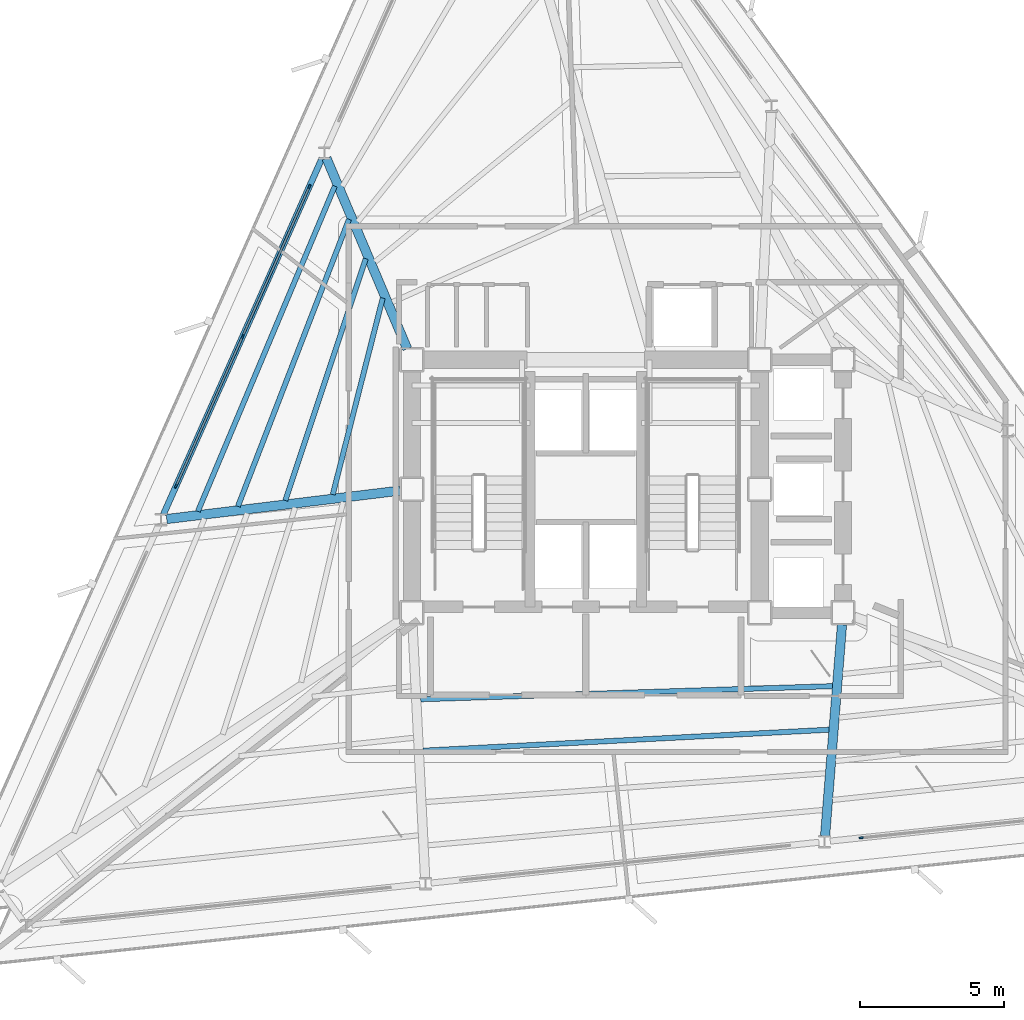
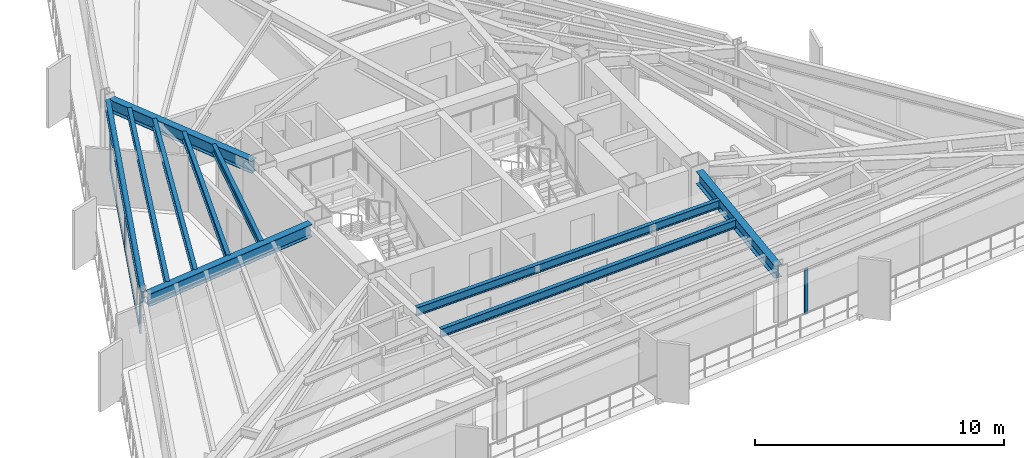
# One storey, part 3 of 12: 10 beams, 8 members, 2 elements without a shape of their own.
"""IFC4 building model written with IfcOpenShell, lengths in metres."""

import ifcopenshell
import ifcopenshell.guid

model = None  # the IFC model being written
_history = None  # IfcOwnerHistory: only IFC2X3 demands one
_inside = {}  # id of a spatial element -> (the spatial element, [elements in it])
_under = {}  # id of a project, library or spatial element -> (it, [spatial elements below it])
_declared = {}  # id of a project -> (the project, [libraries it declares])
_typed = {}  # id of a type object -> (the type object, [elements of that type])
_made_of = {}  # id of a material, layer set ... -> (it, [elements and type objects made of it])


def new_model(schema):
    """Start an empty IFC model of exactly this schema.

    Asked for "IFC4X3", IfcOpenShell would pick the latest addendum, in which some entities
    have other attributes; the version numbers below select the first issue.
    IFC2X3 requires an IfcOwnerHistory on every rooted entity: one is made here for all.
    """
    global model, _history
    if schema == "IFC4X3":
        model = ifcopenshell.file(schema_version=(4, 3, 0, 0))
    else:
        model = ifcopenshell.file(schema=schema)
    _inside.clear()
    _under.clear()
    _declared.clear()
    _typed.clear()
    _made_of.clear()
    _history = None
    if model.schema == "IFC2X3":
        org = make("IfcOrganization", Name="unknown")
        user = make(
            "IfcPersonAndOrganization",
            ThePerson=make("IfcPerson", FamilyName="unknown"),
            TheOrganization=org,
        )
        app = make(
            "IfcApplication",
            ApplicationDeveloper=org,
            Version="unknown",
            ApplicationFullName="unknown",
            ApplicationIdentifier="unknown",
        )
        _history = make(
            "IfcOwnerHistory",
            OwningUser=user,
            OwningApplication=app,
            ChangeAction="ADDED",
            CreationDate=0,
        )
    return model


def make(cls, **values):
    """One entity of the class cls with the attributes given. An attribute that is None is left unset."""
    return model.create_entity(
        cls, **{name: value for name, value in values.items() if value is not None}
    )


def rooted(cls, **values):
    """An entity with a GlobalId (a new one), such as an element, a storey or a relation."""
    return make(cls, GlobalId=ifcopenshell.guid.new(), OwnerHistory=_history, **values)


def si_unit(unit_type, name, prefix=None):
    """IfcSIUnit, for example si_unit("LENGTHUNIT", "METRE", prefix="MILLI")."""
    return make("IfcSIUnit", UnitType=unit_type, Prefix=prefix, Name=name)


def assignment(units):
    """IfcUnitAssignment: the units of a project."""
    return None if units is None else make("IfcUnitAssignment", Units=units)


def point(xyz):
    """IfcCartesianPoint."""
    return None if xyz is None else make("IfcCartesianPoint", Coordinates=xyz)


def direction(xyz):
    """IfcDirection."""
    return None if xyz is None else make("IfcDirection", DirectionRatios=xyz)


def frame(location, z_axis=None, x_axis=None):
    """IfcAxis2Placement3D, a coordinate frame: its origin and axes. An axis left out is left unset."""
    return make(
        "IfcAxis2Placement3D",
        Location=point(location),
        Axis=direction(z_axis),
        RefDirection=direction(x_axis),
    )


def frame_2d(location, x_axis=None):
    """IfcAxis2Placement2D, a coordinate frame in the plane: its origin and x axis."""
    return make(
        "IfcAxis2Placement2D", Location=point(location), RefDirection=direction(x_axis)
    )


def origin():
    """The frame at (0, 0, 0) with its axes left unset."""
    return frame((0.0, 0.0, 0.0))


def origin_2d():
    """The frame at (0, 0) in the plane with its x axis left unset."""
    return frame_2d((0.0, 0.0))


def place(relative_to, where):
    """IfcLocalPlacement: puts the frame where relative to a parent placement (None: the world)."""
    return make(
        "IfcLocalPlacement", PlacementRelTo=relative_to, RelativePlacement=where
    )


def context(
    kind, dimensions, precision=None, world=None, true_north=None, identifier=None
):
    """IfcGeometricRepresentationContext, for example the 3D "Model" context."""
    return make(
        "IfcGeometricRepresentationContext",
        ContextIdentifier=identifier,
        ContextType=kind,
        CoordinateSpaceDimension=dimensions,
        Precision=precision,
        WorldCoordinateSystem=world,
        TrueNorth=true_north,
    )


def subcontext(parent, identifier, kind, view, scale=None):
    """IfcGeometricRepresentationSubContext, for example "Body" below "Model"."""
    return make(
        "IfcGeometricRepresentationSubContext",
        ContextIdentifier=identifier,
        ContextType=kind,
        ParentContext=parent,
        TargetScale=scale,
        TargetView=view,
    )


def project(units=None, contexts=None):
    """IfcProject with its units and contexts."""
    return rooted(
        "IfcProject",
        Name="project",
        RepresentationContexts=contexts,
        UnitsInContext=assignment(units),
    )


def spatial(cls, under=None, at=None, **own):
    """A site, building, storey or space (cls), placed at a placement, below another one or the project."""
    s = rooted(cls, ObjectPlacement=at, **own)
    if under is not None:
        _under.setdefault(under.id(), (under, []))[1].append(s)
    return s


def profile(cls, at=None, kind="AREA", **sizes):
    """A parametric profile (cls). Its sizes go by their IFC names, for example OverallWidth=200.0."""
    return make(cls, ProfileType=kind, Position=at, **sizes)


def rectangle(**sizes):
    """IfcRectangleProfileDef."""
    return profile("IfcRectangleProfileDef", **sizes)


def i_section(**sizes):
    """IfcIShapeProfileDef."""
    return profile("IfcIShapeProfileDef", **sizes)


def extrude(swept, where, along, depth):
    """IfcExtrudedAreaSolid: the profile swept, set in the frame where, extruded along a direction by depth."""
    return make(
        "IfcExtrudedAreaSolid",
        SweptArea=swept,
        Position=where,
        ExtrudedDirection=direction(along),
        Depth=depth,
    )


def shape(context_of_items, identifier, shape_type, items):
    """IfcShapeRepresentation: the items that make up one representation, for example the "Body"."""
    return make(
        "IfcShapeRepresentation",
        ContextOfItems=context_of_items,
        RepresentationIdentifier=identifier,
        RepresentationType=shape_type,
        Items=items,
    )


def material(Name=None, Category=None):
    """IfcMaterial."""
    return make("IfcMaterial", Name=Name, Category=Category)


def layer(
    of_material, thickness, ventilated=None, Name=None, Category=None, Priority=None
):
    """IfcMaterialLayer: one layer of a wall or slab, of a material (None: an air gap)."""
    return make(
        "IfcMaterialLayer",
        Material=of_material,
        LayerThickness=thickness,
        IsVentilated=ventilated,
        Name=Name,
        Category=Category,
        Priority=Priority,
    )


def layer_set(layers, Name=None):
    """IfcMaterialLayerSet."""
    return make("IfcMaterialLayerSet", MaterialLayers=layers, LayerSetName=Name)


def material_profile(
    of_material, cross_section, Name=None, Category=None, Priority=None
):
    """IfcMaterialProfile: a cross section and its material."""
    return make(
        "IfcMaterialProfile",
        Name=Name,
        Material=of_material,
        Profile=cross_section,
        Priority=Priority,
        Category=Category,
    )


def profile_set(profiles, Name=None, composite=None):
    """IfcMaterialProfileSet."""
    return make(
        "IfcMaterialProfileSet",
        Name=Name,
        MaterialProfiles=profiles,
        CompositeProfile=composite,
    )


def made_of(thing, what):
    """Note that an element or type object is made of a material, layer set ...; save() writes the relation."""
    if what is not None:
        _made_of.setdefault(what.id(), (what, []))[1].append(thing)
    return thing


def type_object(cls, material=None, **own):
    """A type object (cls), such as IfcWallType, which elements share."""
    return made_of(rooted(cls, **own), material)


def element(
    cls,
    number,
    at=None,
    inside=None,
    cuts=None,
    type_object=None,
    material=None,
    context=None,
    identifier="Body",
    shape_type=None,
    held_by="IfcProductDefinitionShape",
    body=None,
    shapes=None,
    **own,
):
    """One element of the class cls, such as IfcWall. Its Tag is "e" and its number.

    at: its placement. inside: the storey or other place that contains it. cuts: it is an
    opening in that element (IfcRelVoidsElement). A single representation is given by context,
    identifier, shape_type and body (its items); several are given by shapes. held_by: the class
    of the entity that holds the representations. save() writes the other relations.
    """
    e = rooted(cls, Tag="e%d" % number, ObjectPlacement=at, **own)
    if body is not None:
        shapes = [shape(context, identifier, shape_type, body)]
    if shapes is not None:
        e.Representation = make(held_by, Representations=shapes)
    if inside is not None:
        _inside.setdefault(inside.id(), (inside, []))[1].append(e)
    if cuts is not None:
        rooted(
            "IfcRelVoidsElement", RelatingBuildingElement=cuts, RelatedOpeningElement=e
        )
    if type_object is not None:
        _typed.setdefault(type_object.id(), (type_object, []))[1].append(e)
    return made_of(e, material)


def aggregate(whole, parts):
    """IfcRelAggregates: a whole, such as a stair, and the parts it consists of."""
    return rooted("IfcRelAggregates", RelatingObject=whole, RelatedObjects=parts)


def save(model, path):
    """Write the relations noted so far, then the file.

    IfcRelAggregates (storeys below a building ...), IfcRelContainedInSpatialStructure (elements
    in a storey), IfcRelDefinesByType, IfcRelAssociatesMaterial and IfcRelDeclares: one each for
    every whole, place, type object, material and project.
    """
    for whole, parts in _under.values():
        aggregate(whole, parts)
    for where, things in _inside.values():
        rooted(
            "IfcRelContainedInSpatialStructure",
            RelatedElements=things,
            RelatingStructure=where,
        )
    for kind, things in _typed.values():
        rooted("IfcRelDefinesByType", RelatedObjects=things, RelatingType=kind)
    for what, things in _made_of.values():
        rooted("IfcRelAssociatesMaterial", RelatedObjects=things, RelatingMaterial=what)
    for by, libraries in _declared.values():
        rooted("IfcRelDeclares", RelatingContext=by, RelatedDefinitions=libraries)
    model.write(path)


model = new_model("IFC4")

# Units and contexts
model_context = context("Model", 3, precision=1e-05, world=origin(), true_north=direction((0.0, 1.0)))
body_context = subcontext(model_context, "Body", "Model", "MODEL_VIEW")
ifc_project = project(units=[si_unit("LENGTHUNIT", "METRE"), si_unit("AREAUNIT", "SQUARE_METRE"), si_unit("VOLUMEUNIT", "CUBIC_METRE"), si_unit("PLANEANGLEUNIT", "RADIAN"), si_unit("MASSUNIT", "GRAM", prefix="KILO")], contexts=[model_context])

# Site, building, storey
site_placement = place(None, origin())
site = spatial("IfcSite", under=ifc_project, at=site_placement, CompositionType="ELEMENT")
building_placement = place(site_placement, origin())
building = spatial("IfcBuilding", under=site, at=building_placement, Name="Rocaltana Carrier Exchange", CompositionType="ELEMENT")
storey_placement = place(building_placement, frame((0.0, 0.0, 110.719970703125)))
storey = spatial("IfcBuildingStorey", under=building, at=storey_placement, Name="L34", CompositionType="ELEMENT", Elevation=110.719970703125)

# Curtain wall, members
ifc_material_1 = material(Name="Aluminium 6063-T6", Category="aluminium")
ifc_layer = layer(ifc_material_1, 0.14990234375)
ifc_layer_set = layer_set([ifc_layer], Name="Aluminium 6063-T6")
curtain_wall_type = type_object("IfcCurtainWallType", Name="Mid-Tower Unitised Curtain Wall CW-03", PredefinedType="NOTDEFINED", material=ifc_layer_set)
curtain_wall_1_placement = place(storey_placement, origin())
curtain_wall_1 = element("IfcCurtainWall", 1, at=curtain_wall_1_placement, inside=storey, type_object=curtain_wall_type, Name="L34 CW-03 Run CW-L34-F2S2", PredefinedType="NOTDEFINED")
ifc_material_2 = material(Name="Aluminium 6063-T6", Category="aluminium")
ifc_material_profile_1 = material_profile(ifc_material_2, rectangle(XDim=0.06005859375, YDim=0.14990234375, at=origin_2d()), Name="AL-60X150")
ifc_profile_set_1 = profile_set([ifc_material_profile_1], Name="Aluminium 6063-T6")
member_type_1 = type_object("IfcMemberType", Name="CW-03 Mullion AL-60X150", PredefinedType="MULLION", material=ifc_profile_set_1)
member_1_placement = place(storey_placement, frame((-9.61865234375, 10.525634765625, 0.0), z_axis=(0.0, 0.0, 1.0), x_axis=(0.913542348315, -0.406743626669, 0.0)))
member_1 = element("IfcMember", 2, at=member_1_placement, type_object=member_type_1, Name="CW-03 mullion 1", PredefinedType="MULLION", context=body_context, shape_type="SweptSolid", body=[
    extrude(rectangle(XDim=0.06005859375, YDim=0.14990234375, at=origin_2d()), origin(), (0.0, 0.0, 1.0), 2.218017578125),
])
member_2_placement = place(storey_placement, frame((-11.9384765625, 5.3154296875, 0.0), z_axis=(0.0, 0.0, 1.0), x_axis=(0.913542348315, -0.406743626669, 0.0)))
member_2 = element("IfcMember", 3, at=member_2_placement, type_object=member_type_1, Name="CW-03 mullion 2", PredefinedType="MULLION", context=body_context, shape_type="SweptSolid", body=[
    extrude(rectangle(XDim=0.06005859375, YDim=0.14990234375, at=origin_2d()), origin(), (0.0, 0.0, 1.0), 2.218017578125),
])
member_3_placement = place(storey_placement, frame((-14.25830078125, 0.105224609375, 0.0), z_axis=(0.0, 0.0, 1.0), x_axis=(0.913542348315, -0.406743626669, 0.0)))
member_3 = element("IfcMember", 4, at=member_3_placement, type_object=member_type_1, Name="CW-03 mullion 3", PredefinedType="MULLION", context=body_context, shape_type="SweptSolid", body=[
    extrude(rectangle(XDim=0.06005859375, YDim=0.14990234375, at=origin_2d()), origin(), (0.0, 0.0, 1.0), 2.218017578125),
])

# Curtain wall, member
curtain_wall_2_placement = place(storey_placement, origin())
curtain_wall_2 = element("IfcCurtainWall", 5, at=curtain_wall_2_placement, inside=storey, type_object=curtain_wall_type, Name="L34 CW-03 Run CW-L34-F3S3", PredefinedType="NOTDEFINED")
member_4_placement = place(storey_placement, frame((9.584228515625, -12.1328125, 0.0), z_axis=(0.0, 0.0, 1.0), x_axis=(-0.104521806959, 0.994522594952, 0.0)))
member_4 = element("IfcMember", 6, at=member_4_placement, type_object=member_type_1, Name="CW-03 mullion 1", PredefinedType="MULLION", context=body_context, shape_type="SweptSolid", body=[
    extrude(rectangle(XDim=0.06005859375, YDim=0.14990234375, at=origin_2d()), origin(), (0.0, 0.0, 1.0), 2.218017578125),
])
aggregate(curtain_wall_2, [member_4])

# Member
ifc_material_3 = material(Name="Aluminium 6063-T6", Category="aluminium")
ifc_material_profile_2 = material_profile(ifc_material_3, rectangle(XDim=0.06005859375, YDim=0.14990234375, at=origin_2d()), Name="AL-60X150")
ifc_profile_set_2 = profile_set([ifc_material_profile_2], Name="Aluminium 6063-T6")
member_type_2 = type_object("IfcMemberType", Name="CW-03 Transom AL-60X150", PredefinedType="USERDEFINED", material=ifc_profile_set_2)
member_5_placement = place(storey_placement, frame((-9.630859375, 10.498291015625, 0.030029296875), z_axis=(-0.406740464784, -0.913543756099, 0.0), x_axis=(0.913543756099, -0.406740464784, 0.0)))
member_5 = element("IfcMember", 7, at=member_5_placement, type_object=member_type_2, Name="CW-03 transom 1.1", ObjectType="TRANSOM", PredefinedType="USERDEFINED", context=body_context, shape_type="SweptSolid", body=[
    extrude(rectangle(XDim=0.06005859375, YDim=0.14990234375, at=origin_2d()), origin(), (0.0, 0.0, 1.0), 5.643310546875),
])

member_6_placement = place(storey_placement, frame((-9.630859375, 10.498291015625, 2.18798828125), z_axis=(-0.406740464784, -0.913543756099, 0.0), x_axis=(0.913543756099, -0.406740464784, 0.0)))
member_6 = element("IfcMember", 8, at=member_6_placement, type_object=member_type_2, Name="CW-03 transom 1.2", ObjectType="TRANSOM", PredefinedType="USERDEFINED", context=body_context, shape_type="SweptSolid", body=[
    extrude(rectangle(XDim=0.06005859375, YDim=0.14990234375, at=origin_2d()), origin(), (0.0, 0.0, 1.0), 5.643310546875),
])

member_7_placement = place(storey_placement, frame((-11.95068359375, 5.287841796875, 0.030029296875), z_axis=(-0.406756540093, -0.91353659866, 0.0), x_axis=(0.91353659866, -0.406756540093, 0.0)))
member_7 = element("IfcMember", 9, at=member_7_placement, type_object=member_type_2, Name="CW-03 transom 2.1", ObjectType="TRANSOM", PredefinedType="USERDEFINED", context=body_context, shape_type="SweptSolid", body=[
    extrude(rectangle(XDim=0.06005859375, YDim=0.14990234375, at=origin_2d()), origin(), (0.0, 0.0, 1.0), 5.643310546875),
])

member_8_placement = place(storey_placement, frame((-11.95068359375, 5.287841796875, 2.18798828125), z_axis=(-0.406756540093, -0.91353659866, 0.0), x_axis=(0.91353659866, -0.406756540093, 0.0)))
member_8 = element("IfcMember", 10, at=member_8_placement, type_object=member_type_2, Name="CW-03 transom 2.2", ObjectType="TRANSOM", PredefinedType="USERDEFINED", context=body_context, shape_type="SweptSolid", body=[
    extrude(rectangle(XDim=0.06005859375, YDim=0.14990234375, at=origin_2d()), origin(), (0.0, 0.0, 1.0), 5.643310546875),
])

aggregate(curtain_wall_1, [member_1, member_2, member_3, member_5, member_6, member_7, member_8])

# Beams
ifc_material_4 = material(Name="Steel S355", Category="steel")
ifc_material_profile_3 = material_profile(ifc_material_4, i_section(OverallWidth=0.179931640625, OverallDepth=0.4130859375, WebThickness=0.009765625, FlangeThickness=0.01611328125, FilletRadius=0.012939453125, at=origin_2d()), Name="W16X50")
ifc_profile_set_3 = profile_set([ifc_material_profile_3], Name="Steel S355")
beam_type_1 = type_object("IfcBeamType", Name="Floor Joist W16X50", PredefinedType="JOIST", material=ifc_profile_set_3)
beam_1_placement = place(storey_placement, frame((-7.06396484375, 6.651123046875, 2.58154296875), z_axis=(-0.246610770256, -0.96911461035, 0.0), x_axis=(0.96911461035, -0.246610770256, 0.0)))
element("IfcBeam", 11, at=beam_1_placement, inside=storey, type_object=beam_type_1, Name="FJ-L34-06-1", PredefinedType="JOIST", context=body_context, shape_type="SweptSolid", body=[
    extrude(i_section(OverallWidth=0.179931640625, OverallDepth=0.4130859375, WebThickness=0.009765625, FlangeThickness=0.01611328125, FilletRadius=0.012939453125, at=origin_2d()), origin(), (0.0, 0.0, 1.0), 7.05859375),
])
beam_2_placement = place(storey_placement, frame((-7.65380859375, 8.021484375, 2.58154296875), z_axis=(-0.315534018632, -0.948914265403, 0.0), x_axis=(0.948914265403, -0.315534018632, 0.0)))
element("IfcBeam", 12, at=beam_2_placement, inside=storey, type_object=beam_type_1, Name="FJ-L34-06-2", PredefinedType="JOIST", context=body_context, shape_type="SweptSolid", body=[
    extrude(i_section(OverallWidth=0.179931640625, OverallDepth=0.4130859375, WebThickness=0.009765625, FlangeThickness=0.01611328125, FilletRadius=0.012939453125, at=origin_2d()), origin(), (0.0, 0.0, 1.0), 8.869384765625),
])
beam_3_placement = place(storey_placement, frame((-8.239990234375, 9.390869140625, 2.58154296875), z_axis=(-0.360736399808, -0.93266781324, 0.0), x_axis=(0.93266781324, -0.360736399808, 0.0)))
element("IfcBeam", 13, at=beam_3_placement, inside=storey, type_object=beam_type_1, Name="FJ-L34-06-3", PredefinedType="JOIST", context=body_context, shape_type="SweptSolid", body=[
    extrude(i_section(OverallWidth=0.179931640625, OverallDepth=0.4130859375, WebThickness=0.009765625, FlangeThickness=0.01611328125, FilletRadius=0.012939453125, at=origin_2d()), origin(), (0.0, 0.0, 1.0), 10.71142578125),
])
beam_4_placement = place(storey_placement, frame((-8.73193359375, 10.543701171875, 2.58154296875), z_axis=(-0.388065001022, -0.92163200627, 0.0), x_axis=(0.92163200627, -0.388065001022, 0.0)))
element("IfcBeam", 14, at=beam_4_placement, inside=storey, type_object=beam_type_1, Name="FJ-L34-06-4", PredefinedType="JOIST", context=body_context, shape_type="SweptSolid", body=[
    extrude(i_section(OverallWidth=0.179931640625, OverallDepth=0.4130859375, WebThickness=0.009765625, FlangeThickness=0.01611328125, FilletRadius=0.012939453125, at=origin_2d()), origin(), (0.0, 0.0, 1.0), 12.27734375),
])
beam_5_placement = place(storey_placement, frame((-5.743408203125, -7.3115234375, 2.58154296875), z_axis=(0.999491466451, 0.031887434705, 0.0), x_axis=(-0.031887434705, 0.999491466451, 0.0)))
element("IfcBeam", 15, at=beam_5_placement, inside=storey, type_object=beam_type_1, Name="FJ-L34-10-1", PredefinedType="JOIST", context=body_context, shape_type="SweptSolid", body=[
    extrude(i_section(OverallWidth=0.179931640625, OverallDepth=0.4130859375, WebThickness=0.009765625, FlangeThickness=0.01611328125, FilletRadius=0.012939453125, at=origin_2d()), origin(), (0.0, 0.0, 1.0), 14.34033203125),
])
beam_6_placement = place(storey_placement, frame((-5.654052734375, -9.099609375, 2.58154296875), z_axis=(0.998672130868, 0.051516745125, 0.0), x_axis=(-0.051516745125, 0.998672130868, 0.0)))
element("IfcBeam", 16, at=beam_6_placement, inside=storey, type_object=beam_type_1, Name="FJ-L34-10-2", PredefinedType="JOIST", context=body_context, shape_type="SweptSolid", body=[
    extrude(i_section(OverallWidth=0.179931640625, OverallDepth=0.4130859375, WebThickness=0.009765625, FlangeThickness=0.01611328125, FilletRadius=0.012939453125, at=origin_2d()), origin(), (0.0, 0.0, 1.0), 14.141357421875),
])
ifc_material_5 = material(Name="Steel S355", Category="steel")
ifc_material_profile_4 = material_profile(ifc_material_5, i_section(OverallWidth=0.323974609375, OverallDepth=0.611083984375, WebThickness=0.0126953125, FlangeThickness=0.01904296875, FilletRadius=0.01611328125, at=origin_2d()), Name="W24X104")
ifc_profile_set_4 = profile_set([ifc_material_profile_4], Name="Steel S355")
beam_type_2 = type_object("IfcBeamType", Name="Radial Girder W24X104", PredefinedType="BEAM", material=ifc_profile_set_4)
beam_7_placement = place(storey_placement, frame((-6.212646484375, 4.884033203125, 2.482421875), z_axis=(-0.39010127794, 0.920771954911, 0.0), x_axis=(-0.920771954911, -0.39010127794, 0.0)))
element("IfcBeam", 17, at=beam_7_placement, inside=storey, type_object=beam_type_2, Name="RG-L34-06", PredefinedType="BEAM", context=body_context, shape_type="SweptSolid", body=[
    extrude(i_section(OverallWidth=0.323974609375, OverallDepth=0.611083984375, WebThickness=0.0126953125, FlangeThickness=0.01904296875, FilletRadius=0.01611328125, at=origin_2d()), origin(), (0.0, 0.0, 1.0), 7.198974609375),
])
beam_8_placement = place(storey_placement, frame((-6.4638671875, -0.050537109375, 2.482421875), z_axis=(-0.99265077601, -0.121014201177, 0.0), x_axis=(0.121014201177, -0.99265077601, 0.0)))
element("IfcBeam", 18, at=beam_8_placement, inside=storey, type_object=beam_type_2, Name="RG-L34-07", PredefinedType="BEAM", context=body_context, shape_type="SweptSolid", body=[
    extrude(i_section(OverallWidth=0.323974609375, OverallDepth=0.611083984375, WebThickness=0.0126953125, FlangeThickness=0.01904296875, FilletRadius=0.01611328125, at=origin_2d()), origin(), (0.0, 0.0, 1.0), 8.1787109375),
])
beam_9_placement = place(storey_placement, frame((8.916748046875, -4.7158203125, 2.482421875), z_axis=(-0.079955676703, -0.996798419824, 0.0), x_axis=(0.996798419824, -0.079955676703, 0.0)))
element("IfcBeam", 19, at=beam_9_placement, inside=storey, type_object=beam_type_2, Name="RG-L34-11", PredefinedType="BEAM", context=body_context, shape_type="SweptSolid", body=[
    extrude(i_section(OverallWidth=0.323974609375, OverallDepth=0.611083984375, WebThickness=0.0126953125, FlangeThickness=0.01904296875, FilletRadius=0.01611328125, at=origin_2d()), origin(), (0.0, 0.0, 1.0), 7.377197265625),
])
ifc_material_6 = material(Name="Steel S355", Category="steel")
ifc_material_profile_5 = material_profile(ifc_material_6, i_section(OverallWidth=0.2119140625, OverallDepth=0.5439453125, WebThickness=0.01318359375, FlangeThickness=0.021240234375, FilletRadius=0.014892578125, at=origin_2d()), Name="W21X83")
ifc_profile_set_5 = profile_set([ifc_material_profile_5], Name="Steel S355")
beam_type_3 = type_object("IfcBeamType", Name="Spandrel Edge Beam W21X83", PredefinedType="SPANDREL", material=ifc_profile_set_5)
beam_10_placement = place(storey_placement, frame((-9.1787109375, 11.513916015625, 2.51611328125), z_axis=(-0.406747642326, -0.913540560382, 0.0), x_axis=(0.913540560382, -0.406747642326, 0.0)))
element("IfcBeam", 20, at=beam_10_placement, inside=storey, type_object=beam_type_3, Name="SP-L34-06", PredefinedType="SPANDREL", context=body_context, shape_type="SweptSolid", body=[
    extrude(i_section(OverallWidth=0.2119140625, OverallDepth=0.5439453125, WebThickness=0.01318359375, FlangeThickness=0.021240234375, FilletRadius=0.014892578125, at=origin_2d()), origin(), (0.0, 0.0, 1.0), 13.570556640625),
])

save(model, "model.ifc")
